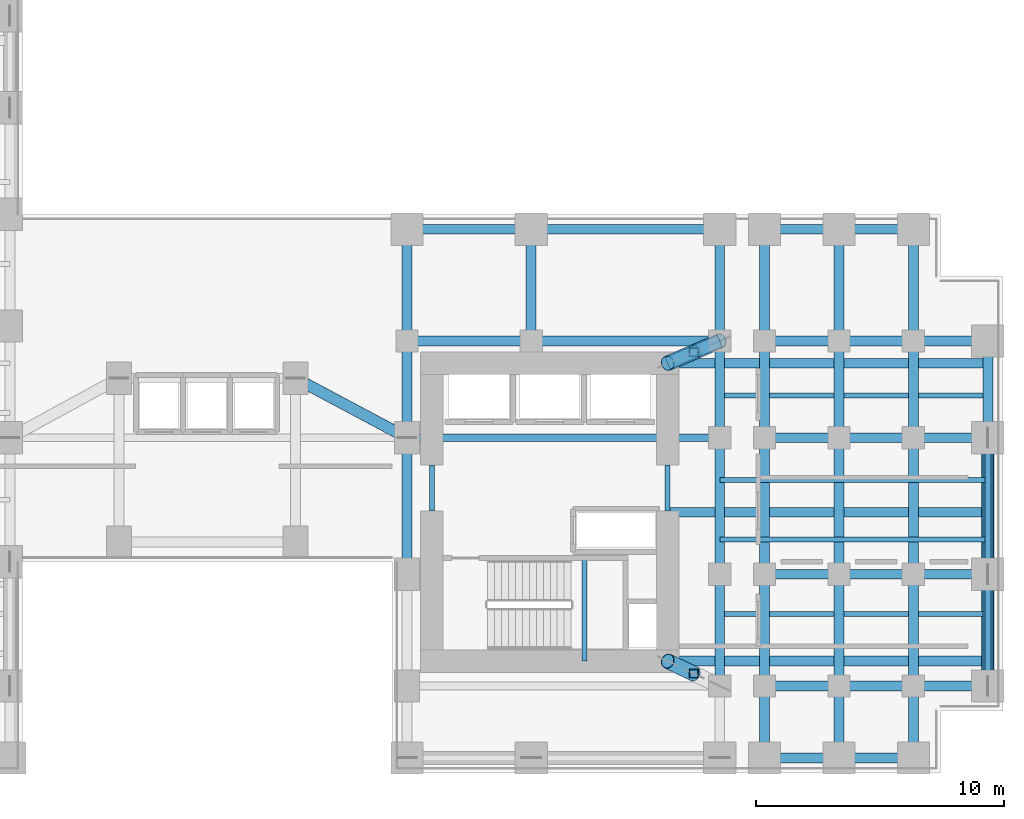
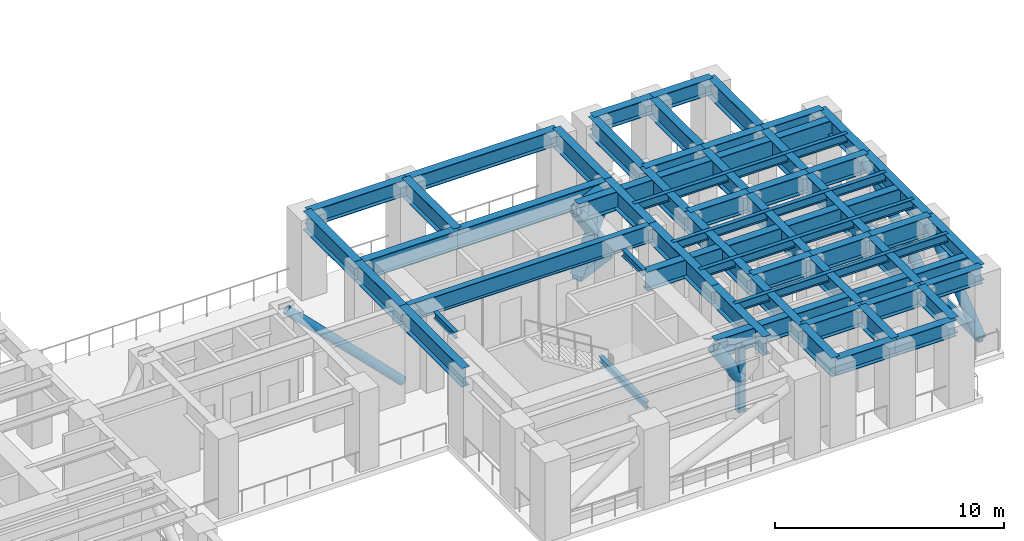
# One storey, part 6 of 16: 57 beams, 13 members.
"""IFC4 building model written with IfcOpenShell, lengths in metres."""

from ifc_helpers import new_model, si_unit, direction, frame, origin, origin_2d, place, context, subcontext, project, spatial, hollow_rectangle, hollow_circle, i_section, extrude, source, transform, mapped, material, material_profile, profile_set, type_object, element, save


model = new_model("IFC4")

# Units and contexts
model_context = context("Model", 3, precision=1e-05, world=origin(), true_north=direction((0.0, 1.0)))
body_context = subcontext(model_context, "Body", "Model", "MODEL_VIEW")
ifc_project = project(units=[si_unit("LENGTHUNIT", "METRE"), si_unit("AREAUNIT", "SQUARE_METRE"), si_unit("VOLUMEUNIT", "CUBIC_METRE"), si_unit("PLANEANGLEUNIT", "RADIAN"), si_unit("MASSUNIT", "GRAM", prefix="KILO")], contexts=[model_context])

# Site, building, storey
site_placement = place(None, origin())
site = spatial("IfcSite", under=ifc_project, at=site_placement, CompositionType="ELEMENT")
building_placement = place(site_placement, origin())
building = spatial("IfcBuilding", under=site, at=building_placement, Name="Kharzan Plaza Tower", CompositionType="ELEMENT")
storey_placement = place(building_placement, frame((0.0, 0.0, 72.89990234375)))
storey = spatial("IfcBuildingStorey", under=building, at=storey_placement, Name="L19", CompositionType="ELEMENT", Elevation=72.89990234375)

# Beams
ifc_material = material(Name="Steel S355", Category="steel")
ifc_material_profile_1 = material_profile(ifc_material, i_section(OverallWidth=0.205078125, OverallDepth=0.35400390625, WebThickness=0.009521484375, FlangeThickness=0.016845703125, at=origin_2d()), Name="W360x79")
ifc_profile_set_1 = profile_set([ifc_material_profile_1], Name="Steel S355")
beam_type_1 = type_object("IfcBeamType", Name="BM-LNT360", PredefinedType="LINTEL", material=ifc_profile_set_1)
shared_shape_1 = source(origin(), body_context, "Body", "SweptSolid", [
    extrude(i_section(OverallWidth=0.205078125, OverallDepth=0.35400390625, WebThickness=0.009521484375, FlangeThickness=0.016845703125, at=origin_2d()), origin(), (0.0, 0.0, 1.0), 1.849853515625),
])
for number, where, z_axis, x_axis, name in (
    (1, (45.5, 10.550048828125, 4.0830078125), (0.0, 1.0, 0.0), (-1.0, 0.0, 0.0), "L19 CORE-B coupling lintel LN1-WE"),
    (2, (36.0, 10.550048828125, 4.0830078125), (0.0, 1.0, 0.0), (-1.0, 0.0, 0.0), "L19 CORE-B coupling lintel LN1-WW"),
):
    element("IfcBeam", number, at=place(storey_placement, frame(where, z_axis=z_axis, x_axis=x_axis)), inside=storey, type_object=beam_type_1, Name=name, PredefinedType="LINTEL", context=body_context, shape_type="MappedRepresentation", body=[
        mapped(shared_shape_1, transform((0.0, 0.0, 0.0), x_axis=(1.0, 0.0, 0.0), y_axis=(0.0, 1.0, 0.0), z_axis=(0.0, 0.0, 1.0))),
    ])
shared_shape_2 = source(origin(), body_context, "Body", "SweptSolid", [
    extrude(i_section(OverallWidth=0.205078125, OverallDepth=0.35400390625, WebThickness=0.009521484375, FlangeThickness=0.016845703125, at=origin_2d()), origin(), (0.0, 0.0, 1.0), 4.155029296875),
])
beam_1_placement = place(storey_placement, frame((42.14990234375, 4.5, 1.873046875), z_axis=(0.0, 1.0, 0.0), x_axis=(-1.0, 0.0, 0.0)))
element("IfcBeam", 3, at=beam_1_placement, inside=storey, type_object=beam_type_1, Name="L19 Stair ST-3 Half-Landing Beam", PredefinedType="LINTEL", context=body_context, shape_type="MappedRepresentation", body=[
    mapped(shared_shape_2, transform((0.0, 0.0, 0.0), x_axis=(1.0, 0.0, 0.0), y_axis=(0.0, 1.0, 0.0), z_axis=(0.0, 0.0, 1.0))),
])
ifc_material_profile_2 = material_profile(ifc_material, i_section(OverallWidth=0.304931640625, OverallDepth=0.9189453125, WebThickness=0.017333984375, FlangeThickness=0.02783203125, at=origin_2d()), Name="W920x253")
ifc_profile_set_2 = profile_set([ifc_material_profile_2], Name="Steel S355")
beam_type_2 = type_object("IfcBeamType", Name="BM-FG920B", PredefinedType="BEAM", material=ifc_profile_set_2)
shared_shape_3 = source(origin(), body_context, "Body", "SweptSolid", [
    extrude(i_section(OverallWidth=0.304931640625, OverallDepth=0.9189453125, WebThickness=0.017333984375, FlangeThickness=0.02783203125, at=origin_2d()), origin(), (0.0, 0.0, 1.0), 12.60009765625),
])
beam_2_placement = place(storey_placement, frame((35.0, 13.5, 3.800537109375), z_axis=(1.0, 0.0, 0.0), x_axis=(0.0, 1.0, 0.0)))
element("IfcBeam", 4, at=beam_2_placement, inside=storey, type_object=beam_type_2, Name="L19 Primary Floor Girder", PredefinedType="BEAM", context=body_context, shape_type="MappedRepresentation", body=[
    mapped(shared_shape_3, transform((0.0, 0.0, 0.0), x_axis=(1.0, 0.0, 0.0), y_axis=(0.0, 1.0, 0.0), z_axis=(0.0, 0.0, 1.0))),
])
ifc_material_profile_3 = material_profile(ifc_material, i_section(OverallWidth=0.194091796875, OverallDepth=0.468994140625, WebThickness=0.011474609375, FlangeThickness=0.0205078125, at=origin_2d()), Name="W460x106")
ifc_profile_set_3 = profile_set([ifc_material_profile_3], Name="Steel S355")
beam_type_3 = type_object("IfcBeamType", Name="BM-JST460", PredefinedType="JOIST", material=ifc_profile_set_3)
shared_shape_4 = source(origin(), body_context, "Body", "SweptSolid", [
    extrude(i_section(OverallWidth=0.194091796875, OverallDepth=0.468994140625, WebThickness=0.011474609375, FlangeThickness=0.0205078125, at=origin_2d()), origin(), (0.0, 0.0, 1.0), 10.7998046875),
])
for number, where, z_axis, x_axis, name in (
    (5, (47.60009765625, 6.39990234375, 4.025634765625), (1.0, 0.0, 0.0), (0.0, 1.0, 0.0), "L19 Wing B Composite Joist 02"),
    (6, (47.60009765625, 9.39990234375, 4.025634765625), (1.0, 0.0, 0.0), (0.0, 1.0, 0.0), "L19 Wing B Composite Joist 03"),
    (7, (47.60009765625, 11.800048828125, 4.025634765625), (1.0, 0.0, 0.0), (0.0, 1.0, 0.0), "L19 Wing B Composite Joist 04"),
    (8, (47.60009765625, 15.199951171875, 4.025634765625), (1.0, 0.0, 0.0), (0.0, 1.0, 0.0), "L19 Wing B Composite Joist 05"),
):
    element("IfcBeam", number, at=place(storey_placement, frame(where, z_axis=z_axis, x_axis=x_axis)), inside=storey, type_object=beam_type_3, Name=name, PredefinedType="JOIST", context=body_context, shape_type="MappedRepresentation", body=[
        mapped(shared_shape_4, transform((0.0, 0.0, 0.0), x_axis=(1.0, 0.0, 0.0), y_axis=(0.0, 1.0, 0.0), z_axis=(0.0, 0.0, 1.0))),
    ])
ifc_material_profile_4 = material_profile(ifc_material, i_section(OverallWidth=0.40087890625, OverallDepth=0.85498046875, WebThickness=0.018310546875, FlangeThickness=0.029296875, at=origin_2d()), Name="W840x299")
ifc_profile_set_4 = profile_set([ifc_material_profile_4], Name="Steel S355")
beam_type_4 = type_object("IfcBeamType", Name="BM-SP840A", PredefinedType="SPANDREL", material=ifc_profile_set_4)
shared_shape_5 = source(origin(), body_context, "Body", "SweptSolid", [
    extrude(i_section(OverallWidth=0.40087890625, OverallDepth=0.85498046875, WebThickness=0.018310546875, FlangeThickness=0.029296875, at=origin_2d()), origin(), (0.0, 0.0, 1.0), 5.0),
])
beam_3_placement = place(storey_placement, frame((35.0, 21.89990234375, 3.83251953125), z_axis=(1.0, 0.0, 0.0), x_axis=(0.0, 1.0, 0.0)))
element("IfcBeam", 9, at=beam_3_placement, inside=storey, type_object=beam_type_4, Name="L19 Perimeter Tube Spandrel", PredefinedType="SPANDREL", context=body_context, shape_type="MappedRepresentation", body=[
    mapped(shared_shape_5, transform((0.0, 0.0, 0.0), x_axis=(1.0, 0.0, 0.0), y_axis=(0.0, 1.0, 0.0), z_axis=(0.0, 0.0, 1.0))),
])
shared_shape_6 = source(origin(), body_context, "Body", "SweptSolid", [
    extrude(i_section(OverallWidth=0.40087890625, OverallDepth=0.85498046875, WebThickness=0.018310546875, FlangeThickness=0.029296875, at=origin_2d()), origin(), (0.0, 0.0, 1.0), 4.5),
])
beam_4_placement = place(storey_placement, frame((58.39990234375, 3.5, 3.83251953125), z_axis=(0.0, 1.0, 0.0), x_axis=(-1.0, 0.0, 0.0)))
element("IfcBeam", 10, at=beam_4_placement, inside=storey, type_object=beam_type_4, Name="L19 Perimeter Tube Spandrel", PredefinedType="SPANDREL", context=body_context, shape_type="MappedRepresentation", body=[
    mapped(shared_shape_6, transform((0.0, 0.0, 0.0), x_axis=(1.0, 0.0, 0.0), y_axis=(0.0, 1.0, 0.0), z_axis=(0.0, 0.0, 1.0))),
])
shared_shape_7 = source(origin(), body_context, "Body", "SweptSolid", [
    extrude(i_section(OverallWidth=0.40087890625, OverallDepth=0.85498046875, WebThickness=0.018310546875, FlangeThickness=0.029296875, at=origin_2d()), origin(), (0.0, 0.0, 1.0), 2.89990234375),
])
beam_5_placement = place(storey_placement, frame((55.39990234375, 0.60009765625, 3.83251953125), z_axis=(0.0, 1.0, 0.0), x_axis=(-1.0, 0.0, 0.0)))
element("IfcBeam", 11, at=beam_5_placement, inside=storey, type_object=beam_type_4, Name="L19 Perimeter Tube Spandrel", PredefinedType="SPANDREL", context=body_context, shape_type="MappedRepresentation", body=[
    mapped(shared_shape_7, transform((0.0, 0.0, 0.0), x_axis=(1.0, 0.0, 0.0), y_axis=(0.0, 1.0, 0.0), z_axis=(0.0, 0.0, 1.0))),
])
shared_shape_8 = source(origin(), body_context, "Body", "SweptSolid", [
    extrude(i_section(OverallWidth=0.40087890625, OverallDepth=0.85498046875, WebThickness=0.018310546875, FlangeThickness=0.029296875, at=origin_2d()), origin(), (0.0, 0.0, 1.0), 5.5),
])
beam_6_placement = place(storey_placement, frame((58.39990234375, 8.0, 3.83251953125), z_axis=(0.0, 1.0, 0.0), x_axis=(-1.0, 0.0, 0.0)))
element("IfcBeam", 12, at=beam_6_placement, inside=storey, type_object=beam_type_4, Name="L19 Perimeter Tube Spandrel", PredefinedType="SPANDREL", context=body_context, shape_type="MappedRepresentation", body=[
    mapped(shared_shape_8, transform((0.0, 0.0, 0.0), x_axis=(1.0, 0.0, 0.0), y_axis=(0.0, 1.0, 0.0), z_axis=(0.0, 0.0, 1.0))),
])
shared_shape_9 = source(origin(), body_context, "Body", "SweptSolid", [
    extrude(i_section(OverallWidth=0.40087890625, OverallDepth=0.85498046875, WebThickness=0.018310546875, FlangeThickness=0.029296875, at=origin_2d()), origin(), (0.0, 0.0, 1.0), 3.89990234375),
])
beam_7_placement = place(storey_placement, frame((58.39990234375, 13.5, 3.83251953125), z_axis=(0.0, 1.0, 0.0), x_axis=(-1.0, 0.0, 0.0)))
element("IfcBeam", 13, at=beam_7_placement, inside=storey, type_object=beam_type_4, Name="L19 Perimeter Tube Spandrel", PredefinedType="SPANDREL", context=body_context, shape_type="MappedRepresentation", body=[
    mapped(shared_shape_9, transform((0.0, 0.0, 0.0), x_axis=(1.0, 0.0, 0.0), y_axis=(0.0, 1.0, 0.0), z_axis=(0.0, 0.0, 1.0))),
])
shared_shape_10 = source(origin(), body_context, "Body", "SweptSolid", [
    extrude(i_section(OverallWidth=0.40087890625, OverallDepth=0.85498046875, WebThickness=0.018310546875, FlangeThickness=0.029296875, at=origin_2d()), origin(), (0.0, 0.0, 1.0), 7.60009765625),
])
beam_8_placement = place(storey_placement, frame((40.0, 21.89990234375, 3.83251953125), z_axis=(1.0, 0.0, 0.0), x_axis=(0.0, 1.0, 0.0)))
element("IfcBeam", 14, at=beam_8_placement, inside=storey, type_object=beam_type_4, Name="L19 Perimeter Tube Spandrel", PredefinedType="SPANDREL", context=body_context, shape_type="MappedRepresentation", body=[
    mapped(shared_shape_10, transform((0.0, 0.0, 0.0), x_axis=(1.0, 0.0, 0.0), y_axis=(0.0, 1.0, 0.0), z_axis=(0.0, 0.0, 1.0))),
])
shared_shape_11 = source(origin(), body_context, "Body", "SweptSolid", [
    extrude(i_section(OverallWidth=0.40087890625, OverallDepth=0.85498046875, WebThickness=0.018310546875, FlangeThickness=0.029296875, at=origin_2d()), origin(), (0.0, 0.0, 1.0), 3.0),
])
for number, where, z_axis, x_axis, name in (
    (15, (49.39990234375, 0.60009765625, 3.83251953125), (1.0, 0.0, 0.0), (0.0, 1.0, 0.0), "L19 Perimeter Tube Spandrel"),
    (16, (52.39990234375, 0.60009765625, 3.83251953125), (1.0, 0.0, 0.0), (0.0, 1.0, 0.0), "L19 Perimeter Tube Spandrel"),
    (17, (55.39990234375, 3.5, 3.83251953125), (1.0, 0.0, 0.0), (0.0, 1.0, 0.0), "L19 Perimeter Tube Spandrel"),
    (18, (49.39990234375, 21.89990234375, 3.83251953125), (1.0, 0.0, 0.0), (0.0, 1.0, 0.0), "L19 Perimeter Tube Spandrel"),
    (19, (52.39990234375, 21.89990234375, 3.83251953125), (1.0, 0.0, 0.0), (0.0, 1.0, 0.0), "L19 Perimeter Tube Spandrel"),
):
    element("IfcBeam", number, at=place(storey_placement, frame(where, z_axis=z_axis, x_axis=x_axis)), inside=storey, type_object=beam_type_4, Name=name, PredefinedType="SPANDREL", context=body_context, shape_type="MappedRepresentation", body=[
        mapped(shared_shape_11, transform((0.0, 0.0, 0.0), x_axis=(1.0, 0.0, 0.0), y_axis=(0.0, 1.0, 0.0), z_axis=(0.0, 0.0, 1.0))),
    ])
ifc_material_profile_5 = material_profile(ifc_material, i_section(OverallWidth=0.39794921875, OverallDepth=1.0, WebThickness=0.017578125, FlangeThickness=0.02880859375, at=origin_2d()), Name="W1000x321")
ifc_profile_set_5 = profile_set([ifc_material_profile_5], Name="Steel S355")
beam_type_5 = type_object("IfcBeamType", Name="BM-PG1000B", PredefinedType="BEAM", material=ifc_profile_set_5)
shared_shape_12 = source(origin(), body_context, "Body", "SweptSolid", [
    extrude(i_section(OverallWidth=0.39794921875, OverallDepth=1.0, WebThickness=0.017578125, FlangeThickness=0.02880859375, at=origin_2d()), origin(), (0.0, 0.0, 1.0), 4.5),
])
for number, where, z_axis, x_axis, name in (
    (20, (35.0, 17.39990234375, 3.760009765625), (0.0, 1.0, 0.0), (-1.0, 0.0, 0.0), "L19 Interior Frame Girder"),
    (21, (40.0, 17.39990234375, 3.760009765625), (0.0, 1.0, 0.0), (-1.0, 0.0, 0.0), "L19 Interior Frame Girder"),
    (22, (47.60009765625, 3.5, 3.760009765625), (0.0, 1.0, 0.0), (-1.0, 0.0, 0.0), "L19 Interior Frame Girder"),
    (23, (47.60009765625, 17.39990234375, 3.760009765625), (0.0, 1.0, 0.0), (-1.0, 0.0, 0.0), "L19 Interior Frame Girder"),
    (24, (49.39990234375, 3.5, 3.760009765625), (0.0, 1.0, 0.0), (-1.0, 0.0, 0.0), "L19 Interior Frame Girder"),
    (25, (49.39990234375, 17.39990234375, 3.760009765625), (0.0, 1.0, 0.0), (-1.0, 0.0, 0.0), "L19 Interior Frame Girder"),
    (26, (52.39990234375, 3.5, 3.760009765625), (0.0, 1.0, 0.0), (-1.0, 0.0, 0.0), "L19 Interior Frame Girder"),
    (27, (52.39990234375, 17.39990234375, 3.760009765625), (0.0, 1.0, 0.0), (-1.0, 0.0, 0.0), "L19 Interior Frame Girder"),
    (28, (55.39990234375, 3.5, 3.760009765625), (0.0, 1.0, 0.0), (-1.0, 0.0, 0.0), "L19 Interior Frame Girder"),
    (29, (55.39990234375, 17.39990234375, 3.760009765625), (0.0, 1.0, 0.0), (-1.0, 0.0, 0.0), "L19 Interior Frame Girder"),
):
    element("IfcBeam", number, at=place(storey_placement, frame(where, z_axis=z_axis, x_axis=x_axis)), inside=storey, type_object=beam_type_5, Name=name, PredefinedType="BEAM", context=body_context, shape_type="MappedRepresentation", body=[
        mapped(shared_shape_12, transform((0.0, 0.0, 0.0), x_axis=(1.0, 0.0, 0.0), y_axis=(0.0, 1.0, 0.0), z_axis=(0.0, 0.0, 1.0))),
    ])
shared_shape_13 = source(origin(), body_context, "Body", "SweptSolid", [
    extrude(i_section(OverallWidth=0.39794921875, OverallDepth=1.0, WebThickness=0.017578125, FlangeThickness=0.02880859375, at=origin_2d()), origin(), (0.0, 0.0, 1.0), 3.89990234375),
])
for number, where, z_axis, x_axis, name in (
    (30, (35.0, 13.5, 3.760009765625), (0.0, 1.0, 0.0), (-1.0, 0.0, 0.0), "L19 Interior Frame Girder"),
    (31, (47.60009765625, 13.5, 3.760009765625), (0.0, 1.0, 0.0), (-1.0, 0.0, 0.0), "L19 Interior Frame Girder"),
    (32, (49.39990234375, 13.5, 3.760009765625), (0.0, 1.0, 0.0), (-1.0, 0.0, 0.0), "L19 Interior Frame Girder"),
    (33, (52.39990234375, 13.5, 3.760009765625), (0.0, 1.0, 0.0), (-1.0, 0.0, 0.0), "L19 Interior Frame Girder"),
    (34, (55.39990234375, 13.5, 3.760009765625), (0.0, 1.0, 0.0), (-1.0, 0.0, 0.0), "L19 Interior Frame Girder"),
):
    element("IfcBeam", number, at=place(storey_placement, frame(where, z_axis=z_axis, x_axis=x_axis)), inside=storey, type_object=beam_type_5, Name=name, PredefinedType="BEAM", context=body_context, shape_type="MappedRepresentation", body=[
        mapped(shared_shape_13, transform((0.0, 0.0, 0.0), x_axis=(1.0, 0.0, 0.0), y_axis=(0.0, 1.0, 0.0), z_axis=(0.0, 0.0, 1.0))),
    ])
shared_shape_14 = source(origin(), body_context, "Body", "SweptSolid", [
    extrude(i_section(OverallWidth=0.39794921875, OverallDepth=1.0, WebThickness=0.017578125, FlangeThickness=0.02880859375, at=origin_2d()), origin(), (0.0, 0.0, 1.0), 12.89990234375),
])
for number, where, z_axis, x_axis, name in (
    (35, (45.5, 4.5, 3.760009765625), (1.0, 0.0, 0.0), (0.0, 1.0, 0.0), "L19 Core-B East Floor Girder 1"),
    (36, (45.5, 10.5, 3.760009765625), (1.0, 0.0, 0.0), (0.0, 1.0, 0.0), "L19 Core-B East Floor Girder 2"),
    (37, (45.5, 16.5, 3.760009765625), (1.0, 0.0, 0.0), (0.0, 1.0, 0.0), "L19 Core-B East Floor Girder 3"),
):
    element("IfcBeam", number, at=place(storey_placement, frame(where, z_axis=z_axis, x_axis=x_axis)), inside=storey, type_object=beam_type_5, Name=name, PredefinedType="BEAM", context=body_context, shape_type="MappedRepresentation", body=[
        mapped(shared_shape_14, transform((0.0, 0.0, 0.0), x_axis=(1.0, 0.0, 0.0), y_axis=(0.0, 1.0, 0.0), z_axis=(0.0, 0.0, 1.0))),
    ])
shared_shape_15 = source(origin(), body_context, "Body", "SweptSolid", [
    extrude(i_section(OverallWidth=0.39794921875, OverallDepth=1.0, WebThickness=0.017578125, FlangeThickness=0.02880859375, at=origin_2d()), origin(), (0.0, 0.0, 1.0), 5.0),
])
beam_9_placement = place(storey_placement, frame((35.0, 17.39990234375, 3.760009765625), z_axis=(1.0, 0.0, 0.0), x_axis=(0.0, 1.0, 0.0)))
element("IfcBeam", 38, at=beam_9_placement, inside=storey, type_object=beam_type_5, Name="L19 Primary Floor Girder", PredefinedType="BEAM", context=body_context, shape_type="MappedRepresentation", body=[
    mapped(shared_shape_15, transform((0.0, 0.0, 0.0), x_axis=(1.0, 0.0, 0.0), y_axis=(0.0, 1.0, 0.0), z_axis=(0.0, 0.0, 1.0))),
])
shared_shape_16 = source(origin(), body_context, "Body", "SweptSolid", [
    extrude(i_section(OverallWidth=0.39794921875, OverallDepth=1.0, WebThickness=0.017578125, FlangeThickness=0.02880859375, at=origin_2d()), origin(), (0.0, 0.0, 1.0), 5.5),
])
for number, where, z_axis, x_axis, name in (
    (39, (35.0, 8.0, 3.760009765625), (0.0, 1.0, 0.0), (-1.0, 0.0, 0.0), "L19 Interior Frame Girder"),
    (40, (47.60009765625, 8.0, 3.760009765625), (0.0, 1.0, 0.0), (-1.0, 0.0, 0.0), "L19 Interior Frame Girder"),
    (41, (49.39990234375, 8.0, 3.760009765625), (0.0, 1.0, 0.0), (-1.0, 0.0, 0.0), "L19 Interior Frame Girder"),
    (42, (52.39990234375, 8.0, 3.760009765625), (0.0, 1.0, 0.0), (-1.0, 0.0, 0.0), "L19 Interior Frame Girder"),
    (43, (55.39990234375, 8.0, 3.760009765625), (0.0, 1.0, 0.0), (-1.0, 0.0, 0.0), "L19 Interior Frame Girder"),
):
    element("IfcBeam", number, at=place(storey_placement, frame(where, z_axis=z_axis, x_axis=x_axis)), inside=storey, type_object=beam_type_5, Name=name, PredefinedType="BEAM", context=body_context, shape_type="MappedRepresentation", body=[
        mapped(shared_shape_16, transform((0.0, 0.0, 0.0), x_axis=(1.0, 0.0, 0.0), y_axis=(0.0, 1.0, 0.0), z_axis=(0.0, 0.0, 1.0))),
    ])
shared_shape_17 = source(origin(), body_context, "Body", "SweptSolid", [
    extrude(i_section(OverallWidth=0.39794921875, OverallDepth=1.0, WebThickness=0.017578125, FlangeThickness=0.02880859375, at=origin_2d()), origin(), (0.0, 0.0, 1.0), 2.89990234375),
])
for number, where, z_axis, x_axis, name in (
    (44, (49.39990234375, 0.60009765625, 3.760009765625), (0.0, 1.0, 0.0), (-1.0, 0.0, 0.0), "L19 Interior Frame Girder"),
    (45, (52.39990234375, 0.60009765625, 3.760009765625), (0.0, 1.0, 0.0), (-1.0, 0.0, 0.0), "L19 Interior Frame Girder"),
):
    element("IfcBeam", number, at=place(storey_placement, frame(where, z_axis=z_axis, x_axis=x_axis)), inside=storey, type_object=beam_type_5, Name=name, PredefinedType="BEAM", context=body_context, shape_type="MappedRepresentation", body=[
        mapped(shared_shape_17, transform((0.0, 0.0, 0.0), x_axis=(1.0, 0.0, 0.0), y_axis=(0.0, 1.0, 0.0), z_axis=(0.0, 0.0, 1.0))),
    ])
shared_shape_18 = source(origin(), body_context, "Body", "SweptSolid", [
    extrude(i_section(OverallWidth=0.39794921875, OverallDepth=1.0, WebThickness=0.017578125, FlangeThickness=0.02880859375, at=origin_2d()), origin(), (0.0, 0.0, 1.0), 3.0),
])
for number, where, z_axis, x_axis, name in (
    (46, (49.39990234375, 3.5, 3.760009765625), (1.0, 0.0, 0.0), (0.0, 1.0, 0.0), "L19 Primary Floor Girder"),
    (47, (52.39990234375, 3.5, 3.760009765625), (1.0, 0.0, 0.0), (0.0, 1.0, 0.0), "L19 Primary Floor Girder"),
    (48, (49.39990234375, 8.0, 3.760009765625), (1.0, 0.0, 0.0), (0.0, 1.0, 0.0), "L19 Primary Floor Girder"),
    (49, (52.39990234375, 8.0, 3.760009765625), (1.0, 0.0, 0.0), (0.0, 1.0, 0.0), "L19 Primary Floor Girder"),
    (50, (55.39990234375, 8.0, 3.760009765625), (1.0, 0.0, 0.0), (0.0, 1.0, 0.0), "L19 Primary Floor Girder"),
    (51, (49.39990234375, 13.5, 3.760009765625), (1.0, 0.0, 0.0), (0.0, 1.0, 0.0), "L19 Primary Floor Girder"),
    (52, (52.39990234375, 13.5, 3.760009765625), (1.0, 0.0, 0.0), (0.0, 1.0, 0.0), "L19 Primary Floor Girder"),
    (53, (55.39990234375, 13.5, 3.760009765625), (1.0, 0.0, 0.0), (0.0, 1.0, 0.0), "L19 Primary Floor Girder"),
    (54, (49.39990234375, 17.39990234375, 3.760009765625), (1.0, 0.0, 0.0), (0.0, 1.0, 0.0), "L19 Primary Floor Girder"),
    (55, (52.39990234375, 17.39990234375, 3.760009765625), (1.0, 0.0, 0.0), (0.0, 1.0, 0.0), "L19 Primary Floor Girder"),
    (56, (55.39990234375, 17.39990234375, 3.760009765625), (1.0, 0.0, 0.0), (0.0, 1.0, 0.0), "L19 Primary Floor Girder"),
):
    element("IfcBeam", number, at=place(storey_placement, frame(where, z_axis=z_axis, x_axis=x_axis)), inside=storey, type_object=beam_type_5, Name=name, PredefinedType="BEAM", context=body_context, shape_type="MappedRepresentation", body=[
        mapped(shared_shape_18, transform((0.0, 0.0, 0.0), x_axis=(1.0, 0.0, 0.0), y_axis=(0.0, 1.0, 0.0), z_axis=(0.0, 0.0, 1.0))),
    ])
shared_shape_19 = source(origin(), body_context, "Body", "SweptSolid", [
    extrude(i_section(OverallWidth=0.39794921875, OverallDepth=1.0, WebThickness=0.017578125, FlangeThickness=0.02880859375, at=origin_2d()), origin(), (0.0, 0.0, 1.0), 7.60009765625),
])
beam_10_placement = place(storey_placement, frame((40.0, 17.39990234375, 3.760009765625), z_axis=(1.0, 0.0, 0.0), x_axis=(0.0, 1.0, 0.0)))
element("IfcBeam", 57, at=beam_10_placement, inside=storey, type_object=beam_type_5, Name="L19 Primary Floor Girder", PredefinedType="BEAM", context=body_context, shape_type="MappedRepresentation", body=[
    mapped(shared_shape_19, transform((0.0, 0.0, 0.0), x_axis=(1.0, 0.0, 0.0), y_axis=(0.0, 1.0, 0.0), z_axis=(0.0, 0.0, 1.0))),
])

# Members
ifc_material_profile_6 = material_profile(ifc_material, hollow_rectangle(XDim=0.25, YDim=0.39990234375, WallThickness=0.01611328125, at=origin_2d()), Name="RHS400x250x16")
ifc_profile_set_6 = profile_set([ifc_material_profile_6], Name="Steel S355")
member_type_1 = type_object("IfcMemberType", Name="MEM-BT-CHORD", PredefinedType="CHORD", material=ifc_profile_set_6)
shared_shape_20 = source(origin(), body_context, "Body", "SweptSolid", [
    extrude(hollow_rectangle(XDim=0.25, YDim=0.39990234375, WallThickness=0.01611328125, at=origin_2d()), origin(), (0.0, 0.0, 1.0), 4.5),
])
member_1_placement = place(storey_placement, frame((58.39990234375, 3.5, 0.35009765625), z_axis=(0.0, 1.0, 0.0), x_axis=(-1.0, 0.0, 0.0)))
element("IfcMember", 58, at=member_1_placement, inside=storey, type_object=member_type_1, Name="L19 Belt Truss Bottom Chord BTE-1", PredefinedType="CHORD", context=body_context, shape_type="MappedRepresentation", body=[
    mapped(shared_shape_20, transform((0.0, 0.0, 0.0), x_axis=(1.0, 0.0, 0.0), y_axis=(0.0, 1.0, 0.0), z_axis=(0.0, 0.0, 1.0))),
])
shared_shape_21 = source(origin(), body_context, "Body", "SweptSolid", [
    extrude(hollow_rectangle(XDim=0.25, YDim=0.39990234375, WallThickness=0.01611328125, at=origin_2d()), origin(), (0.0, 0.0, 1.0), 5.5),
])
member_2_placement = place(storey_placement, frame((58.39990234375, 8.0, 0.35009765625), z_axis=(0.0, 1.0, 0.0), x_axis=(-1.0, 0.0, 0.0)))
element("IfcMember", 59, at=member_2_placement, inside=storey, type_object=member_type_1, Name="L19 Belt Truss Bottom Chord BTE-2", PredefinedType="CHORD", context=body_context, shape_type="MappedRepresentation", body=[
    mapped(shared_shape_21, transform((0.0, 0.0, 0.0), x_axis=(1.0, 0.0, 0.0), y_axis=(0.0, 1.0, 0.0), z_axis=(0.0, 0.0, 1.0))),
])
ifc_material_profile_7 = material_profile(ifc_material, hollow_circle(Radius=0.25390625, WallThickness=0.02001953125, at=origin_2d()), Name="CHS508x20")
ifc_profile_set_7 = profile_set([ifc_material_profile_7], Name="Steel S355")
member_type_2 = type_object("IfcMemberType", Name="MEM-BT-DIAG", PredefinedType="BRACE", material=ifc_profile_set_7)
shared_shape_22 = source(origin(), body_context, "Body", "SweptSolid", [
    extrude(hollow_circle(Radius=0.25390625, WallThickness=0.02001953125, at=origin_2d()), origin(), (0.0, 0.0, 1.0), 5.67626953125),
])
member_3_placement = place(storey_placement, frame((58.39990234375, 3.5, 0.35009765625), z_axis=(0.0, 0.792758275848, 0.609536148292), x_axis=(-1.0, 0.0, 0.0)))
element("IfcMember", 60, at=member_3_placement, inside=storey, type_object=member_type_2, Name="L19 Belt Truss Diagonal BTE-1", PredefinedType="BRACE", context=body_context, shape_type="MappedRepresentation", body=[
    mapped(shared_shape_22, transform((0.0, 0.0, 0.0), x_axis=(1.0, 0.0, 0.0), y_axis=(0.0, 1.0, 0.0), z_axis=(0.0, 0.0, 1.0))),
])
shared_shape_23 = source(origin(), body_context, "Body", "SweptSolid", [
    extrude(hollow_circle(Radius=0.25390625, WallThickness=0.02001953125, at=origin_2d()), origin(), (0.0, 0.0, 1.0), 6.497802734375),
])
member_4_placement = place(storey_placement, frame((58.39990234375, 8.0, 0.35009765625), z_axis=(0.0, 0.846441086953, 0.532482381228), x_axis=(-1.0, 0.0, 0.0)))
element("IfcMember", 61, at=member_4_placement, inside=storey, type_object=member_type_2, Name="L19 Belt Truss Diagonal BTE-2", PredefinedType="BRACE", context=body_context, shape_type="MappedRepresentation", body=[
    mapped(shared_shape_23, transform((0.0, 0.0, 0.0), x_axis=(1.0, 0.0, 0.0), y_axis=(0.0, 1.0, 0.0), z_axis=(0.0, 0.0, 1.0))),
])
ifc_material_profile_8 = material_profile(ifc_material, hollow_rectangle(XDim=0.5, YDim=0.5, WallThickness=0.02490234375, at=origin_2d()), Name="SHS500x500x25")
ifc_profile_set_8 = profile_set([ifc_material_profile_8], Name="Steel S355")
member_type_3 = type_object("IfcMemberType", Name="MEM-OT-CHORD", PredefinedType="CHORD", material=ifc_profile_set_8)
shared_shape_24 = source(origin(), body_context, "Body", "SweptSolid", [
    extrude(hollow_rectangle(XDim=0.5, YDim=0.5, WallThickness=0.02490234375, at=origin_2d()), origin(), (0.0, 0.0, 1.0), 2.28466796875),
])
for number, where, z_axis, x_axis, name in (
    (62, (45.5, 16.5, 0.35009765625), (0.919167136512, 0.393867712762, 0.0), (-0.393867712762, 0.919167136512, 0.0), "L19 Outrigger Truss Bottom Chord OTB-E2"),
    (63, (45.5, 16.5, 3.81005859375), (0.919167136512, 0.393867712762, 0.0), (-0.393867712762, 0.919167136512, 0.0), "L19 Outrigger Truss Top Chord OTB-E2"),
):
    element("IfcMember", number, at=place(storey_placement, frame(where, z_axis=z_axis, x_axis=x_axis)), inside=storey, type_object=member_type_3, Name=name, PredefinedType="CHORD", context=body_context, shape_type="MappedRepresentation", body=[
        mapped(shared_shape_24, transform((0.0, 0.0, 0.0), x_axis=(1.0, 0.0, 0.0), y_axis=(0.0, 1.0, 0.0), z_axis=(0.0, 0.0, 1.0))),
    ])
ifc_material_profile_9 = material_profile(ifc_material, hollow_circle(Radius=0.304931640625, WallThickness=0.02490234375, at=origin_2d()), Name="CHS610x25")
ifc_profile_set_9 = profile_set([ifc_material_profile_9], Name="Steel S355")
member_type_4 = type_object("IfcMemberType", Name="MEM-OT-DIAG", PredefinedType="BRACE", material=ifc_profile_set_9)
shared_shape_25 = source(origin(), body_context, "Body", "SweptSolid", [
    extrude(hollow_circle(Radius=0.304931640625, WallThickness=0.02490234375, at=origin_2d()), origin(), (0.0, 0.0, 1.0), 2.08447265625),
])
member_5_placement = place(storey_placement, frame((45.5, 4.5, 3.81005859375), z_axis=(0.503724259824, -0.239857541065, -0.829897722649), x_axis=(0.429917283348, 0.902868279141, 0.0)))
element("IfcMember", 64, at=member_5_placement, inside=storey, type_object=member_type_4, Name="L19 Outrigger Truss Split Diagonal OTB-E1-2A", PredefinedType="BRACE", context=body_context, shape_type="MappedRepresentation", body=[
    mapped(shared_shape_25, transform((0.0, 0.0, 0.0), x_axis=(1.0, 0.0, 0.0), y_axis=(0.0, 1.0, 0.0), z_axis=(0.0, 0.0, 1.0))),
])
shared_shape_26 = source(origin(), body_context, "Body", "SweptSolid", [
    extrude(hollow_circle(Radius=0.304931640625, WallThickness=0.02490234375, at=origin_2d()), origin(), (0.0, 0.0, 1.0), 4.146240234375),
])
member_6_placement = place(storey_placement, frame((45.5, 16.5, 0.35009765625), z_axis=(0.506502735263, 0.217038953985, 0.834475327151), x_axis=(-0.393867712762, 0.919167136512, 0.0)))
element("IfcMember", 65, at=member_6_placement, inside=storey, type_object=member_type_4, Name="L19 Outrigger Truss Diagonal OTB-E2-1", PredefinedType="BRACE", context=body_context, shape_type="MappedRepresentation", body=[
    mapped(shared_shape_26, transform((0.0, 0.0, 0.0), x_axis=(1.0, 0.0, 0.0), y_axis=(0.0, 1.0, 0.0), z_axis=(0.0, 0.0, 1.0))),
])
shared_shape_27 = source(origin(), body_context, "Body", "SweptSolid", [
    extrude(hollow_circle(Radius=0.304931640625, WallThickness=0.02490234375, at=origin_2d()), origin(), (0.0, 0.0, 1.0), 2.0732421875),
])
for number, where, z_axis, x_axis, name in (
    (66, (45.5, 16.5, 3.81005859375), (0.506502735263, 0.217038953985, -0.834475327151), (-0.393867712762, 0.919167136512, 0.0), "L19 Outrigger Truss Split Diagonal OTB-E2-2A"),
    (67, (46.550048828125, 16.949951171875, 2.080078125), (0.506502735263, 0.217038953985, -0.834475327151), (-0.393867712762, 0.919167136512, 0.0), "L19 Outrigger Truss Split Diagonal OTB-E2-2B"),
):
    element("IfcMember", number, at=place(storey_placement, frame(where, z_axis=z_axis, x_axis=x_axis)), inside=storey, type_object=member_type_4, Name=name, PredefinedType="BRACE", context=body_context, shape_type="MappedRepresentation", body=[
        mapped(shared_shape_27, transform((0.0, 0.0, 0.0), x_axis=(1.0, 0.0, 0.0), y_axis=(0.0, 1.0, 0.0), z_axis=(0.0, 0.0, 1.0))),
    ])
ifc_material_profile_10 = material_profile(ifc_material, hollow_rectangle(XDim=0.35009765625, YDim=0.35009765625, WallThickness=0.01611328125, at=origin_2d()), Name="SHS350x350x16")
ifc_profile_set_10 = profile_set([ifc_material_profile_10], Name="Steel S355")
member_type_5 = type_object("IfcMemberType", Name="MEM-OT-POST", PredefinedType="POST", material=ifc_profile_set_10)
shared_shape_28 = source(origin(), body_context, "Body", "SweptSolid", [
    extrude(hollow_rectangle(XDim=0.35009765625, YDim=0.35009765625, WallThickness=0.01611328125, at=origin_2d()), origin(), (0.0, 0.0, 1.0), 3.4599609375),
])
for number, where, z_axis, x_axis, name in (
    (68, (46.550048828125, 4.0, 0.35009765625), (0.0, 0.0, 1.0), (1.0, 0.0, 0.0), "L19 Outrigger Truss Web Post OTB-E1"),
    (69, (46.550048828125, 16.949951171875, 0.35009765625), (0.0, 0.0, 1.0), (1.0, 0.0, 0.0), "L19 Outrigger Truss Web Post OTB-E2"),
):
    element("IfcMember", number, at=place(storey_placement, frame(where, z_axis=z_axis, x_axis=x_axis)), inside=storey, type_object=member_type_5, Name=name, PredefinedType="POST", context=body_context, shape_type="MappedRepresentation", body=[
        mapped(shared_shape_28, transform((0.0, 0.0, 0.0), x_axis=(1.0, 0.0, 0.0), y_axis=(0.0, 1.0, 0.0), z_axis=(0.0, 0.0, 1.0))),
    ])
ifc_material_profile_11 = material_profile(ifc_material, hollow_circle(Radius=0.228515625, WallThickness=0.01611328125, at=origin_2d()), Name="CHS457x16")
ifc_profile_set_11 = profile_set([ifc_material_profile_11], Name="Steel S355")
member_type_6 = type_object("IfcMemberType", Name="MEM-WP-STRUT", PredefinedType="STRUT", material=ifc_profile_set_11)
shared_shape_29 = source(origin(), body_context, "Body", "SweptSolid", [
    extrude(hollow_circle(Radius=0.228515625, WallThickness=0.01611328125, at=origin_2d()), origin(), (0.0, 0.0, 1.0), 6.444580078125),
])
member_7_placement = place(storey_placement, frame((35.0, 13.5, 0.2001953125), z_axis=(-0.698260685538, 0.372390545727, 0.611356930513), x_axis=(-0.470573327259, -0.882360891967, 0.0)))
element("IfcMember", 70, at=member_7_placement, inside=storey, type_object=member_type_6, Name="L19 Wind Portal Frame V-Strut East", PredefinedType="STRUT", context=body_context, shape_type="MappedRepresentation", body=[
    mapped(shared_shape_29, transform((0.0, 0.0, 0.0), x_axis=(1.0, 0.0, 0.0), y_axis=(0.0, 1.0, 0.0), z_axis=(0.0, 0.0, 1.0))),
])

save(model, "model.ifc")
